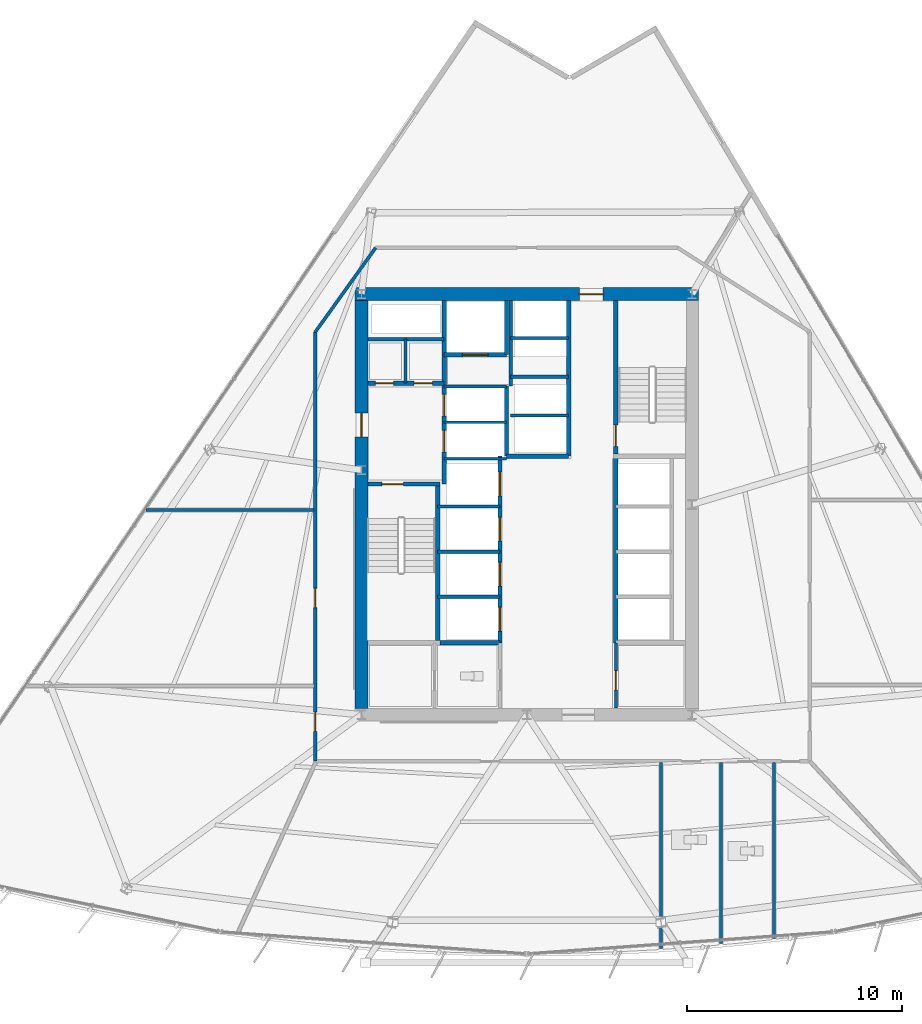
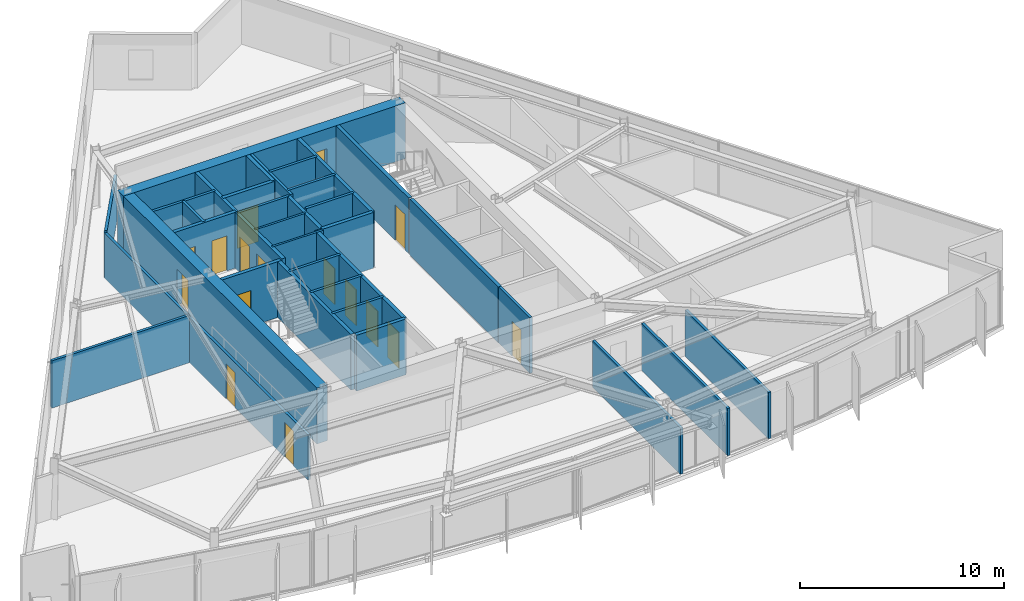
# One storey, part 8 of 15: 34 walls, 16 doors, 16 openings.
"""IFC4 building model written with IfcOpenShell, lengths in metres."""

from ifc_helpers import new_model, si_unit, direction, frame, frame_2d, origin, place, context, subcontext, project, spatial, rectangle, extrude, material, layer, layer_set, type_object, element, fill, save


model = new_model("IFC4")

# Units and contexts
model_context = context("Model", 3, precision=1e-05, world=origin(), true_north=direction((0.0, 1.0)))
body_context = subcontext(model_context, "Body", "Model", "MODEL_VIEW")
ifc_project = project(units=[si_unit("LENGTHUNIT", "METRE"), si_unit("AREAUNIT", "SQUARE_METRE"), si_unit("VOLUMEUNIT", "CUBIC_METRE"), si_unit("PLANEANGLEUNIT", "RADIAN"), si_unit("MASSUNIT", "GRAM", prefix="KILO")], contexts=[model_context])

# Site, building, storey
site_placement = place(None, origin())
site = spatial("IfcSite", under=ifc_project, at=site_placement, CompositionType="ELEMENT")
building_placement = place(site_placement, origin())
building = spatial("IfcBuilding", under=site, at=building_placement, Name="Savorim Split Tower", CompositionType="ELEMENT")
storey_placement = place(building_placement, frame((0.0, 0.0, 111.300048828125)))
storey = spatial("IfcBuildingStorey", under=building, at=storey_placement, Name="L29", CompositionType="ELEMENT", Elevation=111.300048828125)

# Wall, opening, door
ifc_material_1 = material(Name="Concrete C60/75", Category="concrete")
ifc_layer_1 = layer(ifc_material_1, 0.60009765625)
ifc_layer_set_1 = layer_set([ifc_layer_1], Name="WAL-COR-SH600")
wall_type_1 = type_object("IfcWallType", Name="WAL-COR-SH600", PredefinedType="SHEAR", material=ifc_layer_set_1)
wall_1_placement = place(storey_placement, frame((8.0, 10.199951171875, 0.0), z_axis=(0.0, 0.0, 1.0), x_axis=(-1.0, 0.0, 0.0)))
wall_1 = element("IfcWall", 1, at=wall_1_placement, inside=storey, type_object=wall_type_1, Name="L29 Offset Core North Shear Wall", PredefinedType="SHEAR", context=body_context, shape_type="SweptSolid", body=[
    extrude(rectangle(XDim=16.0, YDim=0.60009765625, at=frame_2d((8.0, 0.0))), origin(), (0.0, 0.0, 1.0), 3.349853515625),
])
opening_1_placement = place(wall_1_placement, frame((4.449951171875, 0.0, 0.0)))
opening_1 = element("IfcOpeningElement", 2, at=opening_1_placement, cuts=wall_1, Name="Opening DI-03", PredefinedType="OPENING", context=body_context, shape_type="SweptSolid", body=[
    extrude(rectangle(XDim=1.10009765625, YDim=2.14990234375, at=frame_2d((0.550048828125, 1.074951171875))), frame((0.0, 0.31005859375, 0.0), z_axis=(0.0, -1.0, 0.0), x_axis=(1.0, 0.0, 0.0)), (0.0, 0.0, 1.0), 0.6201171875),
])
ifc_material_2 = material(Name="Timber Fire Door Leaf", Category="wood")
door_type_1 = type_object("IfcDoorType", Name="DOR-FIR-1100", OperationType="NOTDEFINED", PredefinedType="DOOR", material=ifc_material_2)
door_1_placement = place(opening_1_placement, origin())
door_1 = element("IfcDoor", 3, at=door_1_placement, inside=storey, type_object=door_type_1, Name="DOR-L29-COR-NLOB - L29 North Corridor Lobby Fire Door", OperationType="SINGLE_SWING_RIGHT", OverallHeight=2.14990234375, OverallWidth=1.10009765625, PredefinedType="DOOR", context=body_context, shape_type="SweptSolid", body=[
    extrude(rectangle(XDim=1.10009765625, YDim=2.14990234375, at=frame_2d((0.550048828125, 1.074951171875))), frame((0.0, 0.02490234375, 0.0), z_axis=(0.0, -1.0, 0.0), x_axis=(1.0, 0.0, 0.0)), (0.0, 0.0, 1.0), 0.050048828125),
])
fill(opening_1, door_1)

wall_2_placement = place(storey_placement, frame((-7.699951171875, -9.10009765625, 0.0), z_axis=(0.0, 0.0, 1.0), x_axis=(0.0, 1.0, 0.0)))
wall_2 = element("IfcWall", 4, at=wall_2_placement, inside=storey, type_object=wall_type_1, Name="L29 Offset Core West Shear Wall", PredefinedType="SHEAR", context=body_context, shape_type="SweptSolid", body=[
    extrude(rectangle(XDim=19.0, YDim=0.60009765625, at=frame_2d((9.5, 0.0))), origin(), (0.0, 0.0, 1.0), 3.349853515625),
])
opening_2_placement = place(wall_2_placement, frame((12.64990234375, 0.0, 0.0)))
opening_2 = element("IfcOpeningElement", 5, at=opening_2_placement, cuts=wall_2, Name="Opening DI-03", PredefinedType="OPENING", context=body_context, shape_type="SweptSolid", body=[
    extrude(rectangle(XDim=1.10009765625, YDim=2.14990234375, at=frame_2d((0.550048828125, 1.074951171875))), frame((0.0, 0.31005859375, 0.0), z_axis=(0.0, -1.0, 0.0), x_axis=(1.0, 0.0, 0.0)), (0.0, 0.0, 1.0), 0.6201171875),
])
door_2_placement = place(opening_2_placement, origin())
door_2 = element("IfcDoor", 6, at=door_2_placement, inside=storey, type_object=door_type_1, Name="DOR-L29-COR-FFLOB - L29 Firefighting Lobby Corridor Door", OperationType="SINGLE_SWING_LEFT", OverallHeight=2.14990234375, OverallWidth=1.10009765625, PredefinedType="DOOR", context=body_context, shape_type="SweptSolid", body=[
    extrude(rectangle(XDim=1.10009765625, YDim=2.14990234375, at=frame_2d((0.550048828125, 1.074951171875))), frame((0.0, 0.02490234375, 0.0), z_axis=(0.0, -1.0, 0.0), x_axis=(1.0, 0.0, 0.0)), (0.0, 0.0, 1.0), 0.050048828125),
])
fill(opening_2, door_2)

ifc_material_3 = material(Name="Concrete C50/60", Category="concrete")
ifc_layer_2 = layer(ifc_material_3, 0.199951171875)
ifc_layer_set_2 = layer_set([ifc_layer_2], Name="WAL-INT-RC200")
wall_type_2 = type_object("IfcWallType", Name="WAL-INT-RC200", PredefinedType="SOLIDWALL", material=ifc_layer_set_2)
wall_3_placement = place(storey_placement, frame((-7.39990234375, 1.35009765625, 0.0), z_axis=(0.0, 0.0, 1.0), x_axis=(1.0, 0.0, 0.0)))
wall_3 = element("IfcWall", 7, at=wall_3_placement, inside=storey, type_object=wall_type_2, Name="L29 Structural Shaft Wall W-L29-CR01", PredefinedType="SOLIDWALL", context=body_context, shape_type="SweptSolid", body=[
    extrude(rectangle(XDim=3.349853515625, YDim=0.199951171875, at=frame_2d((1.6748046875, 0.0))), origin(), (0.0, 0.0, 1.0), 3.349853515625),
])
opening_3_placement = place(wall_3_placement, frame((0.64990234375, 0.0, 0.0)))
opening_3 = element("IfcOpeningElement", 8, at=opening_3_placement, cuts=wall_3, Name="Opening DI-04", PredefinedType="OPENING", context=body_context, shape_type="SweptSolid", body=[
    extrude(rectangle(XDim=1.0, YDim=2.14990234375, at=frame_2d((0.5, 1.074951171875))), frame((0.0, 0.10986328125, 0.0), z_axis=(0.0, -1.0, 0.0), x_axis=(1.0, 0.0, 0.0)), (0.0, 0.0, 1.0), 0.219970703125),
])
door_type_2 = type_object("IfcDoorType", Name="DOR-FIR-1000", OperationType="NOTDEFINED", PredefinedType="DOOR", material=ifc_material_2)
door_3_placement = place(opening_3_placement, origin())
door_3 = element("IfcDoor", 9, at=door_3_placement, inside=storey, type_object=door_type_2, Name="DR-L29-ST1 - L29 Stair ST-1 Enclosure Door", OperationType="SINGLE_SWING_LEFT", OverallHeight=2.14990234375, OverallWidth=1.0, PredefinedType="DOOR", context=body_context, shape_type="SweptSolid", body=[
    extrude(rectangle(XDim=1.0, YDim=2.14990234375, at=frame_2d((0.5, 1.074951171875))), frame((0.0, 0.02490234375, 0.0), z_axis=(0.0, -1.0, 0.0), x_axis=(1.0, 0.0, 0.0)), (0.0, 0.0, 1.0), 0.050048828125),
])
fill(opening_3, door_3)

# Wall
wall_4_placement = place(storey_placement, frame((-4.14990234375, -5.949951171875, 0.0), z_axis=(0.0, 0.0, 1.0), x_axis=(0.0, 1.0, 0.0)))
element("IfcWall", 10, at=wall_4_placement, inside=storey, type_object=wall_type_2, Name="L29 Structural Shaft Wall W-L29-CR02", PredefinedType="SOLIDWALL", context=body_context, shape_type="SweptSolid", body=[
    extrude(rectangle(XDim=7.199951171875, YDim=0.199951171875, at=frame_2d((3.60009765625, 0.0))), origin(), (0.0, 0.0, 1.0), 3.349853515625),
])

# Wall, openings, doors
wall_5_placement = place(storey_placement, frame((-3.85009765625, 1.35009765625, 0.0), z_axis=(0.0, 0.0, 1.0), x_axis=(0.0, 1.0, 0.0)))
wall_5 = element("IfcWall", 11, at=wall_5_placement, inside=storey, type_object=wall_type_2, Name="L29 Partition W-L29-CR03", PredefinedType="SOLIDWALL", context=body_context, shape_type="SweptSolid", body=[
    extrude(rectangle(XDim=8.544921875, YDim=0.199951171875, at=frame_2d((4.2724609375, 0.0))), origin(), (0.0, 0.0, 1.0), 3.349853515625),
])
opening_4_placement = place(wall_5_placement, frame((1.5, 0.0, 0.0)))
opening_4 = element("IfcOpeningElement", 12, at=opening_4_placement, cuts=wall_5, Name="Opening LD-FFL", PredefinedType="OPENING", context=body_context, shape_type="SweptSolid", body=[
    extrude(rectangle(XDim=1.0, YDim=2.14990234375, at=frame_2d((0.5, 1.074951171875))), frame((0.0, 0.10986328125, 0.0), z_axis=(0.0, -1.0, 0.0), x_axis=(1.0, 0.0, 0.0)), (0.0, 0.0, 1.0), 0.219970703125),
])
opening_5_placement = place(wall_5_placement, frame((3.179931640625, 0.0, 0.0)))
opening_5 = element("IfcOpeningElement", 13, at=opening_5_placement, cuts=wall_5, Name="Opening LD-FFL", PredefinedType="OPENING", context=body_context, shape_type="SweptSolid", body=[
    extrude(rectangle(XDim=1.0, YDim=2.14990234375, at=frame_2d((0.5, 1.074951171875))), frame((0.0, 0.10986328125, 0.0), z_axis=(0.0, -1.0, 0.0), x_axis=(1.0, 0.0, 0.0)), (0.0, 0.0, 1.0), 0.219970703125),
])
ifc_material_4 = material(Name="Charcoal Anodised Aluminium", Category="aluminium")
door_type_3 = type_object("IfcDoorType", Name="DOR-SLD-LD1000", OperationType="NOTDEFINED", PredefinedType="DOOR", material=ifc_material_4)
door_4_placement = place(opening_4_placement, origin())
door_4 = element("IfcDoor", 14, at=door_4_placement, inside=storey, type_object=door_type_3, Name="DR-L29-LD-FFL1 - L29 Firefighting Lift FFL-1 Sliding Landing Door", OperationType="DOUBLE_DOOR_SLIDING", OverallHeight=2.14990234375, OverallWidth=1.0, PredefinedType="DOOR", context=body_context, shape_type="SweptSolid", body=[
    extrude(rectangle(XDim=1.0, YDim=2.14990234375, at=frame_2d((0.5, 1.074951171875))), frame((0.0, 0.02490234375, 0.0), z_axis=(0.0, -1.0, 0.0), x_axis=(1.0, 0.0, 0.0)), (0.0, 0.0, 1.0), 0.050048828125),
])
fill(opening_4, door_4)
door_5_placement = place(opening_5_placement, origin())
door_5 = element("IfcDoor", 15, at=door_5_placement, inside=storey, type_object=door_type_3, Name="DR-L29-LD-FFL2 - L29 Firefighting Lift FFL-2 Sliding Landing Door", OperationType="DOUBLE_DOOR_SLIDING", OverallHeight=2.14990234375, OverallWidth=1.0, PredefinedType="DOOR", context=body_context, shape_type="SweptSolid", body=[
    extrude(rectangle(XDim=1.0, YDim=2.14990234375, at=frame_2d((0.5, 1.074951171875))), frame((0.0, 0.02490234375, 0.0), z_axis=(0.0, -1.0, 0.0), x_axis=(1.0, 0.0, 0.0)), (0.0, 0.0, 1.0), 0.050048828125),
])
fill(opening_5, door_5)

wall_6_placement = place(storey_placement, frame((-7.39501953125, 6.050048828125, 0.0), z_axis=(0.0, 0.0, 1.0), x_axis=(1.0, 0.0, 0.0)))
wall_6 = element("IfcWall", 16, at=wall_6_placement, inside=storey, type_object=wall_type_2, Name="L29 Partition W-L29-CR04", PredefinedType="SOLIDWALL", context=body_context, shape_type="SweptSolid", body=[
    extrude(rectangle(XDim=3.544921875, YDim=0.199951171875, at=frame_2d((1.7724609375, 0.0))), origin(), (0.0, 0.0, 1.0), 3.349853515625),
])
opening_6_placement = place(wall_6_placement, frame((0.344970703125, 0.0, 0.0)))
opening_6 = element("IfcOpeningElement", 17, at=opening_6_placement, cuts=wall_6, Name="Opening DI-12", PredefinedType="OPENING", context=body_context, shape_type="SweptSolid", body=[
    extrude(rectangle(XDim=0.85009765625, YDim=2.10009765625, at=frame_2d((0.425048828125, 1.050048828125))), frame((0.0, 0.10986328125, 0.0), z_axis=(0.0, -1.0, 0.0), x_axis=(1.0, 0.0, 0.0)), (0.0, 0.0, 1.0), 0.219970703125),
])
opening_7_placement = place(wall_6_placement, frame((2.14501953125, 0.0, 0.0)))
opening_7 = element("IfcOpeningElement", 18, at=opening_7_placement, cuts=wall_6, Name="Opening DI-12", PredefinedType="OPENING", context=body_context, shape_type="SweptSolid", body=[
    extrude(rectangle(XDim=0.85009765625, YDim=2.10009765625, at=frame_2d((0.425048828125, 1.050048828125))), frame((0.0, 0.10986328125, 0.0), z_axis=(0.0, -1.0, 0.0), x_axis=(1.0, 0.0, 0.0)), (0.0, 0.0, 1.0), 0.219970703125),
])
ifc_material_5 = material(Name="Galvanised Painted Steel Balustrade", Category="steel")
door_type_4 = type_object("IfcDoorType", Name="DOR-RIS-850", OperationType="NOTDEFINED", PredefinedType="DOOR", material=ifc_material_5)
door_6_placement = place(opening_6_placement, origin())
door_6 = element("IfcDoor", 19, at=door_6_placement, inside=storey, type_object=door_type_4, Name="DR-L29-ELR - L29 Electrical Riser Access Door", OperationType="SINGLE_SWING_RIGHT", OverallHeight=2.10009765625, OverallWidth=0.85009765625, PredefinedType="DOOR", context=body_context, shape_type="SweptSolid", body=[
    extrude(rectangle(XDim=0.85009765625, YDim=2.10009765625, at=frame_2d((0.425048828125, 1.050048828125))), frame((0.0, 0.02490234375, 0.0), z_axis=(0.0, -1.0, 0.0), x_axis=(1.0, 0.0, 0.0)), (0.0, 0.0, 1.0), 0.050048828125),
])
fill(opening_6, door_6)
door_7_placement = place(opening_7_placement, origin())
door_7 = element("IfcDoor", 20, at=door_7_placement, inside=storey, type_object=door_type_4, Name="DR-L29-TLR - L29 Telecom Riser Access Door", OperationType="SINGLE_SWING_LEFT", OverallHeight=2.10009765625, OverallWidth=0.85009765625, PredefinedType="DOOR", context=body_context, shape_type="SweptSolid", body=[
    extrude(rectangle(XDim=0.85009765625, YDim=2.10009765625, at=frame_2d((0.425048828125, 1.050048828125))), frame((0.0, 0.02490234375, 0.0), z_axis=(0.0, -1.0, 0.0), x_axis=(1.0, 0.0, 0.0)), (0.0, 0.0, 1.0), 0.050048828125),
])
fill(opening_7, door_7)

# Wall, opening, door
wall_7_placement = place(storey_placement, frame((4.14990234375, 2.75, 0.0), z_axis=(0.0, 0.0, 1.0), x_axis=(0.0, 1.0, 0.0)))
wall_7 = element("IfcWall", 21, at=wall_7_placement, inside=storey, type_object=wall_type_2, Name="L29 Structural Shaft Wall W-L29-CR07", PredefinedType="SOLIDWALL", context=body_context, shape_type="SweptSolid", body=[
    extrude(rectangle(XDim=7.14990234375, YDim=0.199951171875, at=frame_2d((3.574951171875, 0.0))), origin(), (0.0, 0.0, 1.0), 3.349853515625),
])
opening_8_placement = place(wall_7_placement, frame((0.35009765625, 0.0, 0.0)))
opening_8 = element("IfcOpeningElement", 22, at=opening_8_placement, cuts=wall_7, Name="Opening DI-04", PredefinedType="OPENING", context=body_context, shape_type="SweptSolid", body=[
    extrude(rectangle(XDim=1.0, YDim=2.14990234375, at=frame_2d((0.5, 1.074951171875))), frame((0.0, 0.10986328125, 0.0), z_axis=(0.0, -1.0, 0.0), x_axis=(1.0, 0.0, 0.0)), (0.0, 0.0, 1.0), 0.219970703125),
])
door_8_placement = place(opening_8_placement, origin())
door_8 = element("IfcDoor", 23, at=door_8_placement, inside=storey, type_object=door_type_2, Name="DR-L29-ST2 - L29 Stair ST-2 Enclosure Door", OperationType="SINGLE_SWING_RIGHT", OverallHeight=2.14990234375, OverallWidth=1.0, PredefinedType="DOOR", context=body_context, shape_type="SweptSolid", body=[
    extrude(rectangle(XDim=1.0, YDim=2.14990234375, at=frame_2d((0.5, 1.074951171875))), frame((0.0, 0.02490234375, 0.0), z_axis=(0.0, -1.0, 0.0), x_axis=(1.0, 0.0, 0.0)), (0.0, 0.0, 1.0), 0.050048828125),
])
fill(opening_8, door_8)

# Wall
wall_8_placement = place(storey_placement, frame((-0.949951171875, 2.64990234375, 0.0), z_axis=(0.0, 0.0, 1.0), x_axis=(0.0, 1.0, 0.0)))
element("IfcWall", 24, at=wall_8_placement, inside=storey, type_object=wall_type_2, Name="L29 Partition W-L29-FFLW", PredefinedType="SOLIDWALL", context=body_context, shape_type="SweptSolid", body=[
    extrude(rectangle(XDim=3.27001953125, YDim=0.199951171875, at=frame_2d((1.635009765625, 0.0))), origin(), (0.0, 0.0, 1.0), 3.349853515625),
])

# Wall, opening, door
wall_9_placement = place(storey_placement, frame((-3.85009765625, 7.3798828125, 0.0), z_axis=(0.0, 0.0, 1.0), x_axis=(1.0, 0.0, 0.0)))
wall_9 = element("IfcWall", 25, at=wall_9_placement, inside=storey, type_object=wall_type_2, Name="L29 Partition W-L29-SVLS", PredefinedType="SOLIDWALL", context=body_context, shape_type="SweptSolid", body=[
    extrude(rectangle(XDim=2.900146484375, YDim=0.199951171875, at=frame_2d((1.4501953125, 0.0))), origin(), (0.0, 0.0, 1.0), 3.349853515625),
])
opening_9_placement = place(wall_9_placement, frame((0.85009765625, 0.0, 0.0)))
opening_9 = element("IfcOpeningElement", 26, at=opening_9_placement, cuts=wall_9, Name="Opening LD-SV", PredefinedType="OPENING", context=body_context, shape_type="SweptSolid", body=[
    extrude(rectangle(XDim=1.199951171875, YDim=2.199951171875, at=frame_2d((0.60009765625, 1.10009765625))), frame((0.0, 0.10986328125, 0.0), z_axis=(0.0, -1.0, 0.0), x_axis=(1.0, 0.0, 0.0)), (0.0, 0.0, 1.0), 0.219970703125),
])
door_type_5 = type_object("IfcDoorType", Name="DOR-SLD-SV1200", OperationType="NOTDEFINED", PredefinedType="DOOR", material=ifc_material_4)
door_9_placement = place(opening_9_placement, origin())
door_9 = element("IfcDoor", 27, at=door_9_placement, inside=storey, type_object=door_type_5, Name="DR-L29-LD-SVL1 - L29 Service Lift SVL-1 Sliding Landing Door", OperationType="DOUBLE_DOOR_SLIDING", OverallHeight=2.199951171875, OverallWidth=1.199951171875, PredefinedType="DOOR", context=body_context, shape_type="SweptSolid", body=[
    extrude(rectangle(XDim=1.199951171875, YDim=2.199951171875, at=frame_2d((0.60009765625, 1.10009765625))), frame((0.0, 0.02490234375, 0.0), z_axis=(0.0, -1.0, 0.0), x_axis=(1.0, 0.0, 0.0)), (0.0, 0.0, 1.0), 0.050048828125),
])
fill(opening_9, door_9)

# Walls
wall_10_placement = place(storey_placement, frame((-0.949951171875, 7.3798828125, 0.0), z_axis=(0.0, 0.0, 1.0), x_axis=(0.0, 1.0, 0.0)))
element("IfcWall", 28, at=wall_10_placement, inside=storey, type_object=wall_type_2, Name="L29 Partition W-L29-SVLE", PredefinedType="SOLIDWALL", context=body_context, shape_type="SweptSolid", body=[
    extrude(rectangle(XDim=2.51513671875, YDim=0.199951171875, at=frame_2d((1.257568359375, 0.0))), origin(), (0.0, 0.0, 1.0), 3.349853515625),
])
wall_11_placement = place(storey_placement, frame((4.14990234375, -6.050048828125, 0.0), z_axis=(0.0, 0.0, 1.0), x_axis=(0.0, 1.0, 0.0)))
element("IfcWall", 29, at=wall_11_placement, inside=storey, type_object=wall_type_2, Name="L29 Partition W-L29-B1FRONT", PredefinedType="SOLIDWALL", context=body_context, shape_type="SweptSolid", body=[
    extrude(rectangle(XDim=8.699951171875, YDim=0.199951171875, at=frame_2d((4.35009765625, 0.0))), origin(), (0.0, 0.0, 1.0), 3.349853515625),
])

# Wall, openings, doors
wall_12_placement = place(storey_placement, frame((-1.25, -6.050048828125, 0.0), z_axis=(0.0, 0.0, 1.0), x_axis=(0.0, 1.0, 0.0)))
wall_12 = element("IfcWall", 30, at=wall_12_placement, inside=storey, type_object=wall_type_2, Name="L29 Partition W-L29-B2FRONT", PredefinedType="SOLIDWALL", context=body_context, shape_type="SweptSolid", body=[
    extrude(rectangle(XDim=8.699951171875, YDim=0.199951171875, at=frame_2d((4.35009765625, 0.0))), origin(), (0.0, 0.0, 1.0), 3.349853515625),
])
opening_10_placement = place(wall_12_placement, frame((0.550048828125, 0.0, 0.0)))
opening_10 = element("IfcOpeningElement", 31, at=opening_10_placement, cuts=wall_12, Name="Opening LD-02", PredefinedType="OPENING", context=body_context, shape_type="SweptSolid", body=[
    extrude(rectangle(XDim=1.10009765625, YDim=2.14990234375, at=frame_2d((0.550048828125, 1.074951171875))), frame((0.0, 0.10986328125, 0.0), z_axis=(0.0, -1.0, 0.0), x_axis=(1.0, 0.0, 0.0)), (0.0, 0.0, 1.0), 0.219970703125),
])
opening_11_placement = place(wall_12_placement, frame((2.64990234375, 0.0, 0.0)))
opening_11 = element("IfcOpeningElement", 32, at=opening_11_placement, cuts=wall_12, Name="Opening LD-02", PredefinedType="OPENING", context=body_context, shape_type="SweptSolid", body=[
    extrude(rectangle(XDim=1.10009765625, YDim=2.14990234375, at=frame_2d((0.550048828125, 1.074951171875))), frame((0.0, 0.10986328125, 0.0), z_axis=(0.0, -1.0, 0.0), x_axis=(1.0, 0.0, 0.0)), (0.0, 0.0, 1.0), 0.219970703125),
])
opening_12_placement = place(wall_12_placement, frame((4.75, 0.0, 0.0)))
opening_12 = element("IfcOpeningElement", 33, at=opening_12_placement, cuts=wall_12, Name="Opening LD-02", PredefinedType="OPENING", context=body_context, shape_type="SweptSolid", body=[
    extrude(rectangle(XDim=1.10009765625, YDim=2.14990234375, at=frame_2d((0.550048828125, 1.074951171875))), frame((0.0, 0.10986328125, 0.0), z_axis=(0.0, -1.0, 0.0), x_axis=(1.0, 0.0, 0.0)), (0.0, 0.0, 1.0), 0.219970703125),
])
opening_13_placement = place(wall_12_placement, frame((6.85009765625, 0.0, 0.0)))
opening_13 = element("IfcOpeningElement", 34, at=opening_13_placement, cuts=wall_12, Name="Opening LD-02", PredefinedType="OPENING", context=body_context, shape_type="SweptSolid", body=[
    extrude(rectangle(XDim=1.10009765625, YDim=2.14990234375, at=frame_2d((0.550048828125, 1.074951171875))), frame((0.0, 0.10986328125, 0.0), z_axis=(0.0, -1.0, 0.0), x_axis=(1.0, 0.0, 0.0)), (0.0, 0.0, 1.0), 0.219970703125),
])
door_type_6 = type_object("IfcDoorType", Name="DOR-SLD-LDM1100", OperationType="NOTDEFINED", PredefinedType="DOOR", material=ifc_material_4)
door_10_placement = place(opening_10_placement, origin())
door_10 = element("IfcDoor", 35, at=door_10_placement, inside=storey, type_object=door_type_6, Name="DR-L29-LD-PLM1 - L29 Lift PL-M1 Sliding Landing Door", OperationType="DOUBLE_DOOR_SLIDING", OverallHeight=2.14990234375, OverallWidth=1.10009765625, PredefinedType="DOOR", context=body_context, shape_type="SweptSolid", body=[
    extrude(rectangle(XDim=1.10009765625, YDim=2.14990234375, at=frame_2d((0.550048828125, 1.074951171875))), frame((0.0, 0.02490234375, 0.0), z_axis=(0.0, -1.0, 0.0), x_axis=(1.0, 0.0, 0.0)), (0.0, 0.0, 1.0), 0.050048828125),
])
fill(opening_10, door_10)
door_11_placement = place(opening_11_placement, origin())
door_11 = element("IfcDoor", 36, at=door_11_placement, inside=storey, type_object=door_type_6, Name="DR-L29-LD-PLM2 - L29 Lift PL-M2 Sliding Landing Door", OperationType="DOUBLE_DOOR_SLIDING", OverallHeight=2.14990234375, OverallWidth=1.10009765625, PredefinedType="DOOR", context=body_context, shape_type="SweptSolid", body=[
    extrude(rectangle(XDim=1.10009765625, YDim=2.14990234375, at=frame_2d((0.550048828125, 1.074951171875))), frame((0.0, 0.02490234375, 0.0), z_axis=(0.0, -1.0, 0.0), x_axis=(1.0, 0.0, 0.0)), (0.0, 0.0, 1.0), 0.050048828125),
])
fill(opening_11, door_11)
door_12_placement = place(opening_12_placement, origin())
door_12 = element("IfcDoor", 37, at=door_12_placement, inside=storey, type_object=door_type_6, Name="DR-L29-LD-PLM3 - L29 Lift PL-M3 Sliding Landing Door", OperationType="DOUBLE_DOOR_SLIDING", OverallHeight=2.14990234375, OverallWidth=1.10009765625, PredefinedType="DOOR", context=body_context, shape_type="SweptSolid", body=[
    extrude(rectangle(XDim=1.10009765625, YDim=2.14990234375, at=frame_2d((0.550048828125, 1.074951171875))), frame((0.0, 0.02490234375, 0.0), z_axis=(0.0, -1.0, 0.0), x_axis=(1.0, 0.0, 0.0)), (0.0, 0.0, 1.0), 0.050048828125),
])
fill(opening_12, door_12)
door_13_placement = place(opening_13_placement, origin())
door_13 = element("IfcDoor", 38, at=door_13_placement, inside=storey, type_object=door_type_6, Name="DR-L29-LD-PLM4 - L29 Lift PL-M4 Sliding Landing Door", OperationType="DOUBLE_DOOR_SLIDING", OverallHeight=2.14990234375, OverallWidth=1.10009765625, PredefinedType="DOOR", context=body_context, shape_type="SweptSolid", body=[
    extrude(rectangle(XDim=1.10009765625, YDim=2.14990234375, at=frame_2d((0.550048828125, 1.074951171875))), frame((0.0, 0.02490234375, 0.0), z_axis=(0.0, -1.0, 0.0), x_axis=(1.0, 0.0, 0.0)), (0.0, 0.0, 1.0), 0.050048828125),
])
fill(opening_13, door_13)

# Walls
wall_13_placement = place(storey_placement, frame((1.949951171875, 2.64990234375, 0.0), z_axis=(0.0, 0.0, 1.0), x_axis=(0.0, 1.0, 0.0)))
element("IfcWall", 39, at=wall_13_placement, inside=storey, type_object=wall_type_2, Name="L29 Partition W-L29-B3FRONT", PredefinedType="SOLIDWALL", context=body_context, shape_type="SweptSolid", body=[
    extrude(rectangle(XDim=7.2451171875, YDim=0.199951171875, at=frame_2d((3.62255859375, 0.0))), origin(), (0.0, 0.0, 1.0), 3.349853515625),
])
wall_14_placement = place(storey_placement, frame((-0.949951171875, 2.64990234375, 0.0), z_axis=(0.0, 0.0, 1.0), x_axis=(1.0, 0.0, 0.0)))
element("IfcWall", 40, at=wall_14_placement, inside=storey, type_object=wall_type_2, Name="L29 Partition W-L29-B3SOUTH", PredefinedType="SOLIDWALL", context=body_context, shape_type="SweptSolid", body=[
    extrude(rectangle(XDim=2.89990234375, YDim=0.199951171875, at=frame_2d((1.449951171875, 0.0))), origin(), (0.0, 0.0, 1.0), 3.349853515625),
])
wall_15_placement = place(storey_placement, frame((-4.0400390625, -6.050048828125, 0.0), z_axis=(0.0, 0.0, 1.0), x_axis=(1.0, 0.0, 0.0)))
element("IfcWall", 41, at=wall_15_placement, inside=storey, type_object=wall_type_2, Name="L29 Partition W-L29-KSEP-W2", PredefinedType="SOLIDWALL", context=body_context, shape_type="SweptSolid", body=[
    extrude(rectangle(XDim=2.7900390625, YDim=0.199951171875, at=frame_2d((1.39501953125, 0.0))), origin(), (0.0, 0.0, 1.0), 3.349853515625),
])
ifc_material_6 = material(Name="Acoustic Gypsum Partition Board")
ifc_layer_3 = layer(ifc_material_6, 0.1201171875)
ifc_layer_set_3 = layer_set([ifc_layer_3], Name="WAL-PAR-120")
wall_type_3 = type_object("IfcWallType", Name="WAL-PAR-120", PredefinedType="PARTITIONING", material=ifc_layer_set_3)
for number, where, z_axis, x_axis, name in (
    (42, (-3.85009765625, 2.52001953125, 0.0), (0.0, 0.0, 1.0), (1.0, 0.0, 0.0), "L29 Partition W-L29-FFLD0"),
    (43, (-3.85009765625, 4.219970703125, 0.0), (0.0, 0.0, 1.0), (1.0, 0.0, 0.0), "L29 Partition W-L29-FFLD1"),
):
    element("IfcWall", number, at=place(storey_placement, frame(where, z_axis=z_axis, x_axis=x_axis)), inside=storey, type_object=wall_type_3, Name=name, PredefinedType="PARTITIONING", context=body_context, shape_type="SweptSolid", body=[
        extrude(rectangle(XDim=2.900146484375, YDim=0.1201171875, at=frame_2d((1.4501953125, 0.0))), origin(), (0.0, 0.0, 1.0), 3.349853515625),
    ])
ifc_layer_4 = layer(ifc_material_6, 0.14990234375)
ifc_layer_set_4 = layer_set([ifc_layer_4], Name="WAL-PAR-150")
wall_type_4 = type_object("IfcWallType", Name="WAL-PAR-150", PredefinedType="PARTITIONING", material=ifc_layer_set_4)
wall_16_placement = place(storey_placement, frame((-7.39501953125, 8.10009765625, 0.0), z_axis=(0.0, 0.0, 1.0), x_axis=(1.0, 0.0, 0.0)))
element("IfcWall", 44, at=wall_16_placement, inside=storey, type_object=wall_type_4, Name="L29 Partition W-L29-CR05", PredefinedType="PARTITIONING", context=body_context, shape_type="SweptSolid", body=[
    extrude(rectangle(XDim=3.544921875, YDim=0.14990234375, at=frame_2d((1.7724609375, 0.0))), origin(), (0.0, 0.0, 1.0), 3.349853515625),
])
wall_17_placement = place(storey_placement, frame((-5.64990234375, 6.050048828125, 0.0), z_axis=(0.0, 0.0, 1.0), x_axis=(0.0, 1.0, 0.0)))
element("IfcWall", 45, at=wall_17_placement, inside=storey, type_object=wall_type_4, Name="L29 Partition W-L29-CR06", PredefinedType="PARTITIONING", context=body_context, shape_type="SweptSolid", body=[
    extrude(rectangle(XDim=2.050048828125, YDim=0.14990234375, at=frame_2d((1.02490234375, 0.0))), origin(), (0.0, 0.0, 1.0), 3.349853515625),
])
wall_18_placement = place(storey_placement, frame((-3.85009765625, 5.89990234375, 0.0), z_axis=(0.0, 0.0, 1.0), x_axis=(1.0, 0.0, 0.0)))
element("IfcWall", 46, at=wall_18_placement, inside=storey, type_object=wall_type_4, Name="L29 Partition W-L29-FFLD2", PredefinedType="PARTITIONING", context=body_context, shape_type="SweptSolid", body=[
    extrude(rectangle(XDim=2.900146484375, YDim=0.14990234375, at=frame_2d((1.4501953125, 0.0))), origin(), (0.0, 0.0, 1.0), 3.349853515625),
])
for number, where, z_axis, x_axis, name in (
    (47, (-4.14990234375, -3.89990234375, 0.0), (0.0, 0.0, 1.0), (1.0, 0.0, 0.0), "L29 Partition W-L29-B2DIV1"),
    (48, (-4.14990234375, -1.800048828125, 0.0), (0.0, 0.0, 1.0), (1.0, 0.0, 0.0), "L29 Partition W-L29-B2DIV2"),
    (49, (-4.14990234375, 0.300048828125, 0.0), (0.0, 0.0, 1.0), (1.0, 0.0, 0.0), "L29 Partition W-L29-B2DIV3"),
):
    element("IfcWall", number, at=place(storey_placement, frame(where, z_axis=z_axis, x_axis=x_axis)), inside=storey, type_object=wall_type_4, Name=name, PredefinedType="PARTITIONING", context=body_context, shape_type="SweptSolid", body=[
        extrude(rectangle(XDim=2.89990234375, YDim=0.14990234375, at=frame_2d((1.449951171875, 0.0))), origin(), (0.0, 0.0, 1.0), 3.349853515625),
    ])
wall_19_placement = place(storey_placement, frame((-0.75, 5.919921875, 0.0), z_axis=(0.0, 0.0, 1.0), x_axis=(0.0, 1.0, 0.0)))
element("IfcWall", 50, at=wall_19_placement, inside=storey, type_object=wall_type_4, Name="L29 Partition W-L29-B3WEST", PredefinedType="PARTITIONING", context=body_context, shape_type="SweptSolid", body=[
    extrude(rectangle(XDim=3.97509765625, YDim=0.14990234375, at=frame_2d((1.987548828125, 0.0))), origin(), (0.0, 0.0, 1.0), 3.349853515625),
])
for number, where, z_axis, x_axis, name in (
    (51, (-0.75, 4.550048828125, 0.0), (0.0, 0.0, 1.0), (1.0, 0.0, 0.0), "L29 Partition W-L29-B3DIV1"),
    (52, (-0.75, 6.35009765625, 0.0), (0.0, 0.0, 1.0), (1.0, 0.0, 0.0), "L29 Partition W-L29-B3DIV2"),
    (53, (-0.75, 8.14990234375, 0.0), (0.0, 0.0, 1.0), (1.0, 0.0, 0.0), "L29 Partition W-L29-B3DIV3"),
):
    element("IfcWall", number, at=place(storey_placement, frame(where, z_axis=z_axis, x_axis=x_axis)), inside=storey, type_object=wall_type_4, Name=name, PredefinedType="PARTITIONING", context=body_context, shape_type="SweptSolid", body=[
        extrude(rectangle(XDim=2.699951171875, YDim=0.14990234375, at=frame_2d((1.35009765625, 0.0))), origin(), (0.0, 0.0, 1.0), 3.349853515625),
    ])

# Wall, opening, door
wall_20_placement = place(storey_placement, frame((4.14990234375, -9.094970703125, 0.0), z_axis=(0.0, 0.0, 1.0), x_axis=(0.0, 1.0, 0.0)))
wall_20 = element("IfcWall", 54, at=wall_20_placement, inside=storey, type_object=wall_type_4, Name="L29 Partition W-L29-KLOB-E", PredefinedType="PARTITIONING", context=body_context, shape_type="SweptSolid", body=[
    extrude(rectangle(XDim=3.044921875, YDim=0.14990234375, at=frame_2d((1.5224609375, 0.0))), origin(), (0.0, 0.0, 1.0), 3.349853515625),
])
opening_14_placement = place(wall_20_placement, frame((0.844970703125, 0.0, 0.0)))
opening_14 = element("IfcOpeningElement", 55, at=opening_14_placement, cuts=wall_20, Name="Opening DI-06", PredefinedType="OPENING", context=body_context, shape_type="SweptSolid", body=[
    extrude(rectangle(XDim=0.89990234375, YDim=2.10009765625, at=frame_2d((0.449951171875, 1.050048828125))), frame((0.0, 0.0849609375, 0.0), z_axis=(0.0, -1.0, 0.0), x_axis=(1.0, 0.0, 0.0)), (0.0, 0.0, 1.0), 0.169921875),
])
door_type_7 = type_object("IfcDoorType", Name="DOR-FIR-900", OperationType="NOTDEFINED", PredefinedType="DOOR", material=ifc_material_2)
door_14_placement = place(opening_14_placement, origin())
door_14 = element("IfcDoor", 56, at=door_14_placement, inside=storey, type_object=door_type_7, Name="DR-L29-K1IT - L29 Core IT Room Door", OperationType="SINGLE_SWING_LEFT", OverallHeight=2.10009765625, OverallWidth=0.89990234375, PredefinedType="DOOR", context=body_context, shape_type="SweptSolid", body=[
    extrude(rectangle(XDim=0.89990234375, YDim=2.10009765625, at=frame_2d((0.449951171875, 1.050048828125))), frame((0.0, 0.02490234375, 0.0), z_axis=(0.0, -1.0, 0.0), x_axis=(1.0, 0.0, 0.0)), (0.0, 0.0, 1.0), 0.050048828125),
])
fill(opening_14, door_14)

# Wall, openings, doors
wall_21_placement = place(storey_placement, frame((-9.860107421875, -11.56005859375, 0.0), z_axis=(0.0, 0.0, 1.0), x_axis=(0.0, 1.0, 0.0)))
wall_21 = element("IfcWall", 57, at=wall_21_placement, inside=storey, type_object=wall_type_4, Name="L29 Partition W-L29-COR-01", PredefinedType="PARTITIONING", context=body_context, shape_type="SweptSolid", body=[
    extrude(rectangle(XDim=19.98583984375, YDim=0.14990234375, at=frame_2d((9.992919921875, 0.0))), origin(), (0.0, 0.0, 1.0), 2.704833984375),
])
opening_15_placement = place(wall_21_placement, frame((7.148193359375, 0.0, 0.0)))
opening_15 = element("IfcOpeningElement", 58, at=opening_15_placement, cuts=wall_21, Name="Opening DI-06", PredefinedType="OPENING", context=body_context, shape_type="SweptSolid", body=[
    extrude(rectangle(XDim=0.89990234375, YDim=2.10009765625, at=frame_2d((0.449951171875, 1.050048828125))), frame((0.0, 0.0849609375, 0.0), z_axis=(0.0, -1.0, 0.0), x_axis=(1.0, 0.0, 0.0)), (0.0, 0.0, 1.0), 0.169921875),
])
opening_16_placement = place(wall_21_placement, frame((1.38720703125, 0.0, 0.0)))
opening_16 = element("IfcOpeningElement", 59, at=opening_16_placement, cuts=wall_21, Name="Opening DI-06", PredefinedType="OPENING", context=body_context, shape_type="SweptSolid", body=[
    extrude(rectangle(XDim=0.89990234375, YDim=2.10009765625, at=frame_2d((0.449951171875, 1.050048828125))), frame((0.0, 0.0849609375, 0.0), z_axis=(0.0, -1.0, 0.0), x_axis=(1.0, 0.0, 0.0)), (0.0, 0.0, 1.0), 0.169921875),
])
door_15_placement = place(opening_15_placement, origin())
door_15 = element("IfcDoor", 60, at=door_15_placement, inside=storey, type_object=door_type_7, Name="DR-L29-RM01 - L29 Co-Working Commons Entry Door", OperationType="SINGLE_SWING_RIGHT", OverallHeight=2.10009765625, OverallWidth=0.89990234375, PredefinedType="DOOR", context=body_context, shape_type="SweptSolid", body=[
    extrude(rectangle(XDim=0.89990234375, YDim=2.10009765625, at=frame_2d((0.449951171875, 1.050048828125))), frame((0.0, 0.02490234375, 0.0), z_axis=(0.0, -1.0, 0.0), x_axis=(1.0, 0.0, 0.0)), (0.0, 0.0, 1.0), 0.050048828125),
])
fill(opening_15, door_15)
door_16_placement = place(opening_16_placement, origin())
door_16 = element("IfcDoor", 61, at=door_16_placement, inside=storey, type_object=door_type_7, Name="DR-L29-RM02 - L29 Maker Workshop Entry Door", OperationType="SINGLE_SWING_LEFT", OverallHeight=2.10009765625, OverallWidth=0.89990234375, PredefinedType="DOOR", context=body_context, shape_type="SweptSolid", body=[
    extrude(rectangle(XDim=0.89990234375, YDim=2.10009765625, at=frame_2d((0.449951171875, 1.050048828125))), frame((0.0, 0.02490234375, 0.0), z_axis=(0.0, -1.0, 0.0), x_axis=(1.0, 0.0, 0.0)), (0.0, 0.0, 1.0), 0.050048828125),
])
fill(opening_16, door_16)

# Walls
wall_22_placement = place(storey_placement, frame((-9.860107421875, 8.42578125, 0.0), z_axis=(0.0, 0.0, 1.0), x_axis=(0.582449511476, 0.812866881218, 0.0)))
element("IfcWall", 62, at=wall_22_placement, inside=storey, type_object=wall_type_4, Name="L29 Partition W-L29-COR-02", PredefinedType="PARTITIONING", context=body_context, shape_type="SweptSolid", body=[
    extrude(rectangle(XDim=4.840087890625, YDim=0.14990234375, at=frame_2d((2.419921875, 0.0))), origin(), (0.0, 0.0, 1.0), 2.824951171875),
])
wall_23_placement = place(storey_placement, frame((6.24658203125, -11.6201171875, 0.0), z_axis=(0.0, 0.0, 1.0), x_axis=(0.0, -1.0, 0.0)))
element("IfcWall", 63, at=wall_23_placement, inside=storey, type_object=wall_type_4, Name="L29 Partition W-L29-PRAD03", PredefinedType="PARTITIONING", context=body_context, shape_type="SweptSolid", body=[
    extrude(rectangle(XDim=8.6650390625, YDim=0.14990234375, at=frame_2d((4.33251953125, 0.0))), origin(), (0.0, 0.0, 1.0), 2.77490234375),
])
wall_24_placement = place(storey_placement, frame((11.511962890625, -11.6201171875, 0.0), z_axis=(0.0, 0.0, 1.0), x_axis=(0.0, -1.0, 0.0)))
element("IfcWall", 64, at=wall_24_placement, inside=storey, type_object=wall_type_4, Name="L29 Partition W-L29-SUB01", PredefinedType="PARTITIONING", context=body_context, shape_type="SweptSolid", body=[
    extrude(rectangle(XDim=8.19189453125, YDim=0.14990234375, at=frame_2d((4.095947265625, 0.0))), origin(), (0.0, 0.0, 1.0), 2.77490234375),
])
wall_25_placement = place(storey_placement, frame((9.046875, -11.6201171875, 0.0), z_axis=(0.0, 0.0, 1.0), x_axis=(0.0, -1.0, 0.0)))
element("IfcWall", 65, at=wall_25_placement, inside=storey, type_object=wall_type_4, Name="L29 Partition W-L29-SUB03", PredefinedType="PARTITIONING", context=body_context, shape_type="SweptSolid", body=[
    extrude(rectangle(XDim=8.4462890625, YDim=0.14990234375, at=frame_2d((4.22314453125, 0.0))), origin(), (0.0, 0.0, 1.0), 2.8349609375),
])
wall_26_placement = place(storey_placement, frame((-9.919921875, 0.14013671875, 0.0), z_axis=(0.0, 0.0, 1.0), x_axis=(-1.0, 0.0, 0.0)))
element("IfcWall", 66, at=wall_26_placement, inside=storey, type_object=wall_type_4, Name="L29 Partition W-L29-SUB05", PredefinedType="PARTITIONING", context=body_context, shape_type="SweptSolid", body=[
    extrude(rectangle(XDim=7.825439453125, YDim=0.14990234375, at=frame_2d((3.91259765625, 0.0))), origin(), (0.0, 0.0, 1.0), 2.8349609375),
])

save(model, "model.ifc")
